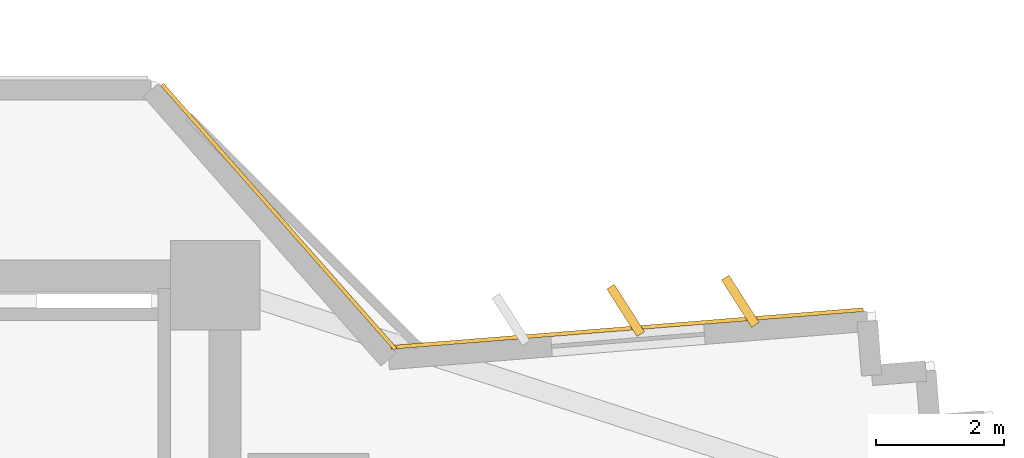
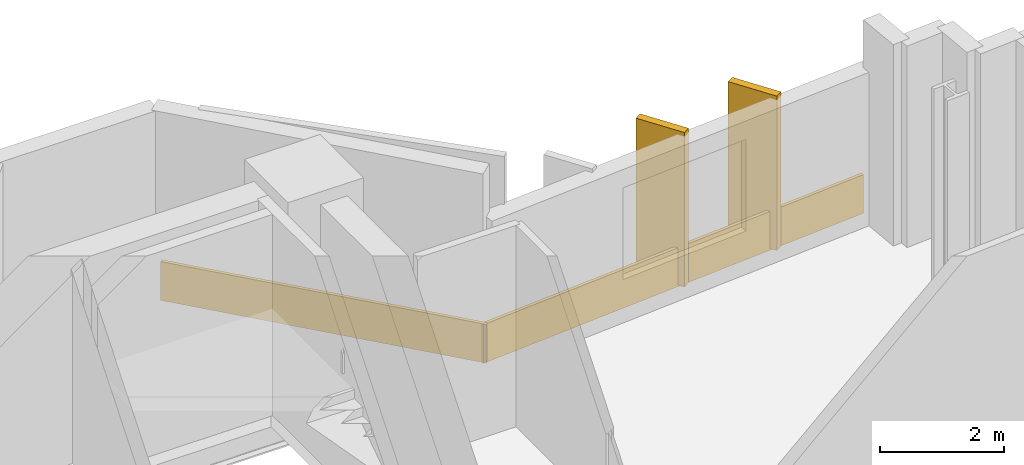
# One storey, part 15 of 15: 4 coverings.
"""IFC4 building model written with IfcOpenShell, lengths in metres."""

from ifc_helpers import new_model, si_unit, direction, frame, origin, origin_2d, place, context, subcontext, project, spatial, rectangle, extrude, source, transform, mapped, material, layer, layer_set, type_object, element, save


model = new_model("IFC4")

# Units and contexts
model_context = context("Model", 3, precision=1e-05, world=origin(), true_north=direction((0.0, 1.0)))
body_context = subcontext(model_context, "Body", "Model", "MODEL_VIEW")
ifc_project = project(units=[si_unit("LENGTHUNIT", "METRE"), si_unit("AREAUNIT", "SQUARE_METRE"), si_unit("VOLUMEUNIT", "CUBIC_METRE"), si_unit("PLANEANGLEUNIT", "RADIAN"), si_unit("MASSUNIT", "GRAM", prefix="KILO")], contexts=[model_context])

# Site, building, storey
site_placement = place(None, origin())
site = spatial("IfcSite", under=ifc_project, at=site_placement, CompositionType="ELEMENT")
building_placement = place(site_placement, origin())
building = spatial("IfcBuilding", under=site, at=building_placement, Name="Zahravan Cultural Tower", CompositionType="ELEMENT")
storey_placement = place(building_placement, frame((0.0, 0.0, 83.699951171875)))
storey = spatial("IfcBuildingStorey", under=building, at=storey_placement, Name="L18", CompositionType="ELEMENT", Elevation=83.699951171875)

# Coverings
ifc_material = material(Name="Terracotta ceramic cladding", Category="masonry")
ifc_layer = layer(ifc_material, 0.06005859375)
ifc_layer_set = layer_set([ifc_layer], Name="Terracotta ceramic cladding")
covering_type = type_object("IfcCoveringType", Name="COV-CLAD-TC60", PredefinedType="CLADDING", material=ifc_layer_set)
shared_shape_1 = source(origin(), body_context, "Body", "SweptSolid", [
    extrude(rectangle(XDim=0.8798828125, YDim=0.139892578125, at=origin_2d()), origin(), (0.0, 0.0, 1.0), 3.030029296875),
])
for number, where, z_axis, x_axis, name in (
    (1, (56.76806640625, 35.80908203125, 0.0498046875), (0.0, 0.0, 1.0), (-0.538182511035, 0.842828324641, 0.0), "L18 Herringbone Terracotta Fin 02"),
    (2, (58.5625, 35.9521484375, 0.0498046875), (0.0, 0.0, 1.0), (-0.538182511035, 0.842828324641, 0.0), "L18 Herringbone Terracotta Fin 03"),
):
    element("IfcCovering", number, at=place(storey_placement, frame(where, z_axis=z_axis, x_axis=x_axis)), inside=storey, type_object=covering_type, Name=name, PredefinedType="CLADDING", context=body_context, shape_type="MappedRepresentation", body=[
        mapped(shared_shape_1, transform((0.0, 0.0, 0.0), x_axis=(1.0, 0.0, 0.0), y_axis=(0.0, 1.0, 0.0), z_axis=(0.0, 0.0, 1.0), scale=1.0)),
    ])
shared_shape_2 = source(origin(), body_context, "Body", "SweptSolid", [
    extrude(rectangle(XDim=7.414794921875, YDim=0.06005859375, at=origin_2d()), origin(), (0.0, 0.0, 1.0), 0.760009765625),
])
covering_1_placement = place(storey_placement, frame((56.790771484375, 35.52490234375, 0.02001953125), z_axis=(0.0, 0.0, 1.0), x_axis=(0.996834624954, 0.079503021908, 0.0)))
element("IfcCovering", 3, at=covering_1_placement, inside=storey, type_object=covering_type, Name="L18 Terracotta Spandrel Cladding 01", PredefinedType="CLADDING", context=body_context, shape_type="MappedRepresentation", body=[
    mapped(shared_shape_2, transform((0.0, 0.0, 0.0), x_axis=(1.0, 0.0, 0.0), y_axis=(0.0, 1.0, 0.0), z_axis=(0.0, 0.0, 1.0), scale=1.0)),
])
shared_shape_3 = source(origin(), body_context, "Body", "SweptSolid", [
    extrude(rectangle(XDim=5.52294921875, YDim=0.06005859375, at=origin_2d()), origin(), (0.0, 0.0, 1.0), 0.760009765625),
])
covering_2_placement = place(storey_placement, frame((51.33984375, 37.273193359375, 0.02001953125), z_axis=(0.0, 0.0, 1.0), x_axis=(0.66123331025, -0.750180317934, 0.0)))
element("IfcCovering", 4, at=covering_2_placement, inside=storey, type_object=covering_type, Name="L18 Terracotta Spandrel Cladding 52", PredefinedType="CLADDING", context=body_context, shape_type="MappedRepresentation", body=[
    mapped(shared_shape_3, transform((0.0, 0.0, 0.0), x_axis=(1.0, 0.0, 0.0), y_axis=(0.0, 1.0, 0.0), z_axis=(0.0, 0.0, 1.0), scale=1.0)),
])

save(model, "model.ifc")
